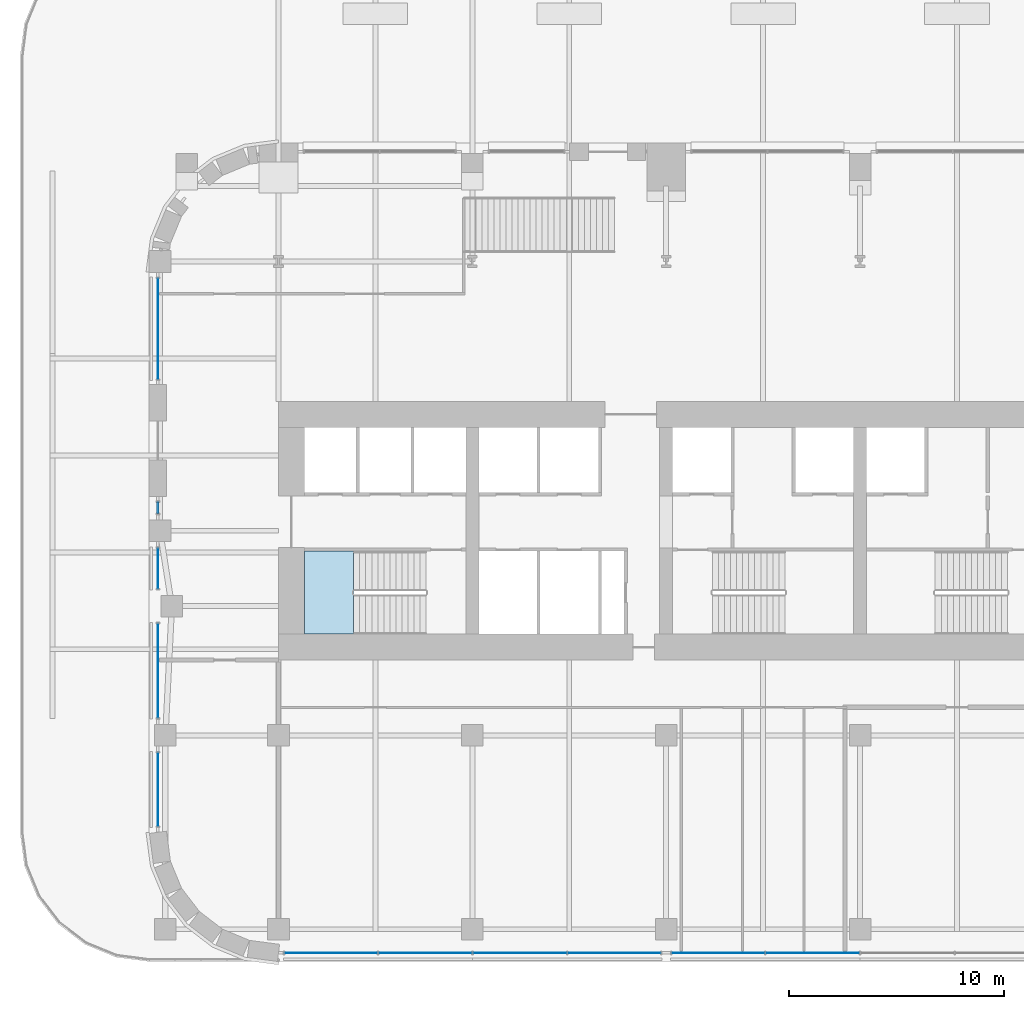
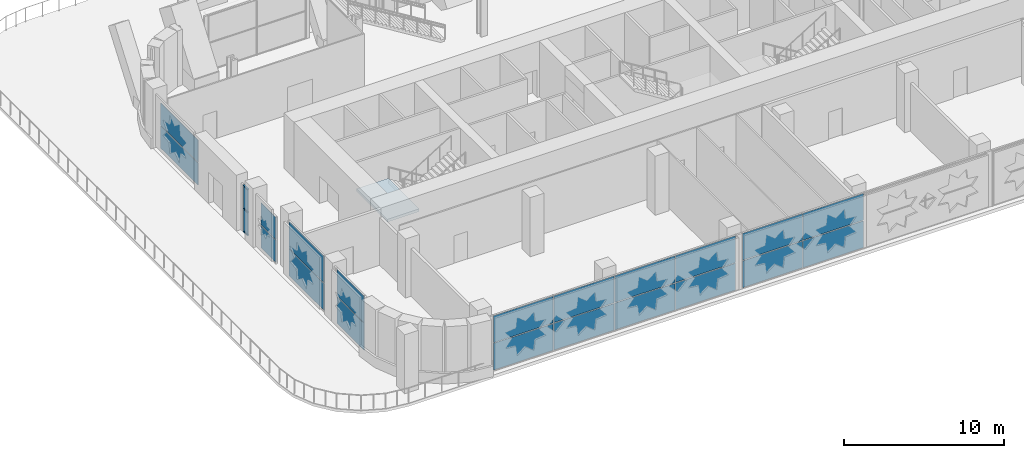
# One storey, part 12 of 26: 22 plates, 3 members, 1 slab, 8 elements without a shape of their own.
"""IFC4 building model written with IfcOpenShell, lengths in metres."""

from ifc_helpers import new_model, si_unit, direction, frame, origin, origin_2d, place, context, subcontext, project, spatial, polyline, rectangle, outline, extrude, material, layer, layer_set, material_profile, profile_set, type_object, element, aggregate, save


model = new_model("IFC4")

# Units and contexts
model_context = context("Model", 3, precision=1e-05, world=origin(), true_north=direction((0.0, 1.0)))
body_context = subcontext(model_context, "Body", "Model", "MODEL_VIEW")
ifc_project = project(units=[si_unit("LENGTHUNIT", "METRE"), si_unit("AREAUNIT", "SQUARE_METRE"), si_unit("VOLUMEUNIT", "CUBIC_METRE"), si_unit("PLANEANGLEUNIT", "RADIAN"), si_unit("MASSUNIT", "GRAM", prefix="KILO")], contexts=[model_context])

# Site, building, storey
site_placement = place(None, origin())
site = spatial("IfcSite", under=ifc_project, at=site_placement, CompositionType="ELEMENT")
building_placement = place(site_placement, origin())
building = spatial("IfcBuilding", under=site, at=building_placement, Name="Zellij Exchange Tower", CompositionType="ELEMENT")
storey_placement = place(building_placement, frame((0.0, 0.0, 39.0)))
storey = spatial("IfcBuildingStorey", under=building, at=storey_placement, Name="L06", CompositionType="ELEMENT", Elevation=39.0)

# Curtain wall, members
ifc_material_1 = material(Name="Aluminium frame, clear insulating glass", Category="aluminium")
curtain_wall_type = type_object("IfcCurtainWallType", Name="ENV-CW1 Sky-garden glazing", PredefinedType="NOTDEFINED", material=ifc_material_1)
curtain_wall_1_placement = place(storey_placement, origin())
curtain_wall_1 = element("IfcCurtainWall", 1, at=curtain_wall_1_placement, inside=storey, type_object=curtain_wall_type, Name="cw.L06.21c", PredefinedType="NOTDEFINED")
ifc_material_2 = material(Name="Aluminium", Category="aluminium")
ifc_material_profile = material_profile(ifc_material_2, rectangle(XDim=0.1201171875, YDim=0.06005859375, at=origin_2d()), Name="AL 120x60")
ifc_profile_set = profile_set([ifc_material_profile], Name="Aluminium")
member_type = type_object("IfcMemberType", Name="ENV-CW1T Transom 120x60", PredefinedType="USERDEFINED", material=ifc_profile_set)
member_1_placement = place(storey_placement, frame((-32.60009765625, -6.665283203125, 0.030029296875), z_axis=(0.0, -1.0, 0.0), x_axis=(1.0, 0.0, 0.0)))
member_1 = element("IfcMember", 2, at=member_1_placement, type_object=member_type, Name="CW1 transom 1.1", ObjectType="TRANSOM", PredefinedType="USERDEFINED", context=body_context, shape_type="SweptSolid", body=[
    extrude(rectangle(XDim=0.1201171875, YDim=0.06005859375, at=origin_2d()), origin(), (0.0, 0.0, 1.0), 0.524658203125),
])
member_2_placement = place(storey_placement, frame((-32.60009765625, -6.665283203125, 1.781005859375), z_axis=(0.0, -1.0, 0.0), x_axis=(1.0, 0.0, 0.0)))
member_2 = element("IfcMember", 3, at=member_2_placement, type_object=member_type, Name="CW1 transom 1.2", ObjectType="TRANSOM", PredefinedType="USERDEFINED", context=body_context, shape_type="SweptSolid", body=[
    extrude(rectangle(XDim=0.1201171875, YDim=0.06005859375, at=origin_2d()), origin(), (0.0, 0.0, 1.0), 0.524658203125),
])
member_3_placement = place(storey_placement, frame((-32.60009765625, -6.665283203125, 3.53173828125), z_axis=(0.0, -1.0, 0.0), x_axis=(1.0, 0.0, 0.0)))
member_3 = element("IfcMember", 4, at=member_3_placement, type_object=member_type, Name="CW1 transom 1.3", ObjectType="TRANSOM", PredefinedType="USERDEFINED", context=body_context, shape_type="SweptSolid", body=[
    extrude(rectangle(XDim=0.1201171875, YDim=0.06005859375, at=origin_2d()), origin(), (0.0, 0.0, 1.0), 0.524658203125),
])

# Stair, slab
ifc_material_3 = material(Name="Concrete C40/50", Category="concrete")
stair_type = type_object("IfcStairType", Name="CORE-ST exit stair 1850 wide", PredefinedType="HALF_TURN_STAIR", material=ifc_material_3)
stair_placement = place(storey_placement, origin())
stair = element("IfcStair", 5, at=stair_placement, inside=storey, type_object=stair_type, Name="L06 exit stair ST1", PredefinedType="HALF_TURN_STAIR")
ifc_layer_1 = layer(ifc_material_3, 0.199951171875)
ifc_layer_set_1 = layer_set([ifc_layer_1], Name="Concrete C40/50")
slab_type = type_object("IfcSlabType", Name="CORE-SL stair landing 200", PredefinedType="LANDING", material=ifc_layer_set_1)
slab_placement = place(storey_placement, frame((0.0, 0.0, 2.050048828125)))
slab = element("IfcSlab", 6, at=slab_placement, type_object=slab_type, Name="ST1 landing 1", PredefinedType="LANDING", context=body_context, shape_type="SweptSolid", body=[
    extrude(outline(polyline([(-23.510009765625, -8.949951171875), (-25.800048828125, -8.949951171875), (-25.800048828125, -12.800048828125), (-23.510009765625, -12.800048828125), (-23.510009765625, -8.949951171875)])), origin(), (0.0, 0.0, 1.0), 0.199951171875),
])
aggregate(stair, [slab])

# Curtain wall, plates
curtain_wall_2_placement = place(storey_placement, origin())
curtain_wall_2 = element("IfcCurtainWall", 7, at=curtain_wall_2_placement, inside=storey, type_object=curtain_wall_type, Name="cw.L06.00a", PredefinedType="NOTDEFINED")
ifc_material_4 = material(Name="Insulating glass unit, clear", Category="glass")
ifc_layer_2 = layer(ifc_material_4, 0.031982421875)
ifc_layer_set_2 = layer_set([ifc_layer_2], Name="Insulating glass unit, clear")
plate_type = type_object("IfcPlateType", Name="ENV-CW1P Glazed panel 32", PredefinedType="CURTAIN_PANEL", material=ifc_layer_set_2)
plate_1_placement = place(storey_placement, frame((-24.56201171875, -27.60009765625, 0.06005859375), z_axis=(0.0, 0.0, 1.0), x_axis=(1.0, 0.0, 0.0)))
plate_1 = element("IfcPlate", 8, at=plate_1_placement, type_object=plate_type, Name="CW1 panel 1.1", PredefinedType="CURTAIN_PANEL", context=body_context, shape_type="SweptSolid", body=[
    extrude(rectangle(XDim=4.303466796875, YDim=0.031982421875, at=origin_2d()), origin(), (0.0, 0.0, 1.0), 2.034912109375),
])
plate_2_placement = place(storey_placement, frame((-24.56201171875, -27.60009765625, 2.1552734375), z_axis=(0.0, 0.0, 1.0), x_axis=(1.0, 0.0, 0.0)))
plate_2 = element("IfcPlate", 9, at=plate_2_placement, type_object=plate_type, Name="CW1 panel 1.2", PredefinedType="CURTAIN_PANEL", context=body_context, shape_type="SweptSolid", body=[
    extrude(rectangle(XDim=4.303466796875, YDim=0.031982421875, at=origin_2d()), origin(), (0.0, 0.0, 1.0), 2.034912109375),
])
plate_3_placement = place(storey_placement, frame((-20.18359375, -27.60009765625, 0.06005859375), z_axis=(0.0, 0.0, 1.0), x_axis=(1.0, 0.0, 0.0)))
plate_3 = element("IfcPlate", 10, at=plate_3_placement, type_object=plate_type, Name="CW1 panel 2.1", PredefinedType="CURTAIN_PANEL", context=body_context, shape_type="SweptSolid", body=[
    extrude(rectangle(XDim=4.33349609375, YDim=0.031982421875, at=origin_2d()), origin(), (0.0, 0.0, 1.0), 2.034912109375),
])
plate_4_placement = place(storey_placement, frame((-20.18359375, -27.60009765625, 2.1552734375), z_axis=(0.0, 0.0, 1.0), x_axis=(1.0, 0.0, 0.0)))
plate_4 = element("IfcPlate", 11, at=plate_4_placement, type_object=plate_type, Name="CW1 panel 2.2", PredefinedType="CURTAIN_PANEL", context=body_context, shape_type="SweptSolid", body=[
    extrude(rectangle(XDim=4.33349609375, YDim=0.031982421875, at=origin_2d()), origin(), (0.0, 0.0, 1.0), 2.034912109375),
])
plate_5_placement = place(storey_placement, frame((-15.790283203125, -27.60009765625, 0.06005859375), z_axis=(0.0, 0.0, 1.0), x_axis=(1.0, 0.0, 0.0)))
plate_5 = element("IfcPlate", 12, at=plate_5_placement, type_object=plate_type, Name="CW1 panel 3.1", PredefinedType="CURTAIN_PANEL", context=body_context, shape_type="SweptSolid", body=[
    extrude(rectangle(XDim=4.33349609375, YDim=0.031982421875, at=origin_2d()), origin(), (0.0, 0.0, 1.0), 2.034912109375),
])
plate_6_placement = place(storey_placement, frame((-15.790283203125, -27.60009765625, 2.1552734375), z_axis=(0.0, 0.0, 1.0), x_axis=(1.0, 0.0, 0.0)))
plate_6 = element("IfcPlate", 13, at=plate_6_placement, type_object=plate_type, Name="CW1 panel 3.2", PredefinedType="CURTAIN_PANEL", context=body_context, shape_type="SweptSolid", body=[
    extrude(rectangle(XDim=4.33349609375, YDim=0.031982421875, at=origin_2d()), origin(), (0.0, 0.0, 1.0), 2.034912109375),
])
plate_7_placement = place(storey_placement, frame((-11.41162109375, -27.60009765625, 0.06005859375), z_axis=(0.0, 0.0, 1.0), x_axis=(1.0, 0.0, 0.0)))
plate_7 = element("IfcPlate", 14, at=plate_7_placement, type_object=plate_type, Name="CW1 panel 4.1", PredefinedType="CURTAIN_PANEL", context=body_context, shape_type="SweptSolid", body=[
    extrude(rectangle(XDim=4.303466796875, YDim=0.031982421875, at=origin_2d()), origin(), (0.0, 0.0, 1.0), 2.034912109375),
])
plate_8_placement = place(storey_placement, frame((-11.41162109375, -27.60009765625, 2.1552734375), z_axis=(0.0, 0.0, 1.0), x_axis=(1.0, 0.0, 0.0)))
plate_8 = element("IfcPlate", 15, at=plate_8_placement, type_object=plate_type, Name="CW1 panel 4.2", PredefinedType="CURTAIN_PANEL", context=body_context, shape_type="SweptSolid", body=[
    extrude(rectangle(XDim=4.303466796875, YDim=0.031982421875, at=origin_2d()), origin(), (0.0, 0.0, 1.0), 2.034912109375),
])
aggregate(curtain_wall_2, [plate_1, plate_2, plate_3, plate_4, plate_5, plate_6, plate_7, plate_8])

curtain_wall_3_placement = place(storey_placement, origin())
curtain_wall_3 = element("IfcCurtainWall", 16, at=curtain_wall_3_placement, inside=storey, type_object=curtain_wall_type, Name="cw.L06.00b", PredefinedType="NOTDEFINED")
plate_9_placement = place(storey_placement, frame((-6.5849609375, -27.60009765625, 0.06005859375), z_axis=(0.0, 0.0, 1.0), x_axis=(1.0, 0.0, 0.0)))
plate_9 = element("IfcPlate", 17, at=plate_9_placement, type_object=plate_type, Name="CW1 panel 1.1", PredefinedType="CURTAIN_PANEL", context=body_context, shape_type="SweptSolid", body=[
    extrude(rectangle(XDim=4.31005859375, YDim=0.031982421875, at=origin_2d()), origin(), (0.0, 0.0, 1.0), 2.034912109375),
])
plate_10_placement = place(storey_placement, frame((-6.5849609375, -27.60009765625, 2.1552734375), z_axis=(0.0, 0.0, 1.0), x_axis=(1.0, 0.0, 0.0)))
plate_10 = element("IfcPlate", 18, at=plate_10_placement, type_object=plate_type, Name="CW1 panel 1.2", PredefinedType="CURTAIN_PANEL", context=body_context, shape_type="SweptSolid", body=[
    extrude(rectangle(XDim=4.31005859375, YDim=0.031982421875, at=origin_2d()), origin(), (0.0, 0.0, 1.0), 2.034912109375),
])
plate_11_placement = place(storey_placement, frame((-2.199951171875, -27.60009765625, 0.06005859375), z_axis=(0.0, 0.0, 1.0), x_axis=(1.0, 0.0, 0.0)))
plate_11 = element("IfcPlate", 19, at=plate_11_placement, type_object=plate_type, Name="CW1 panel 2.1", PredefinedType="CURTAIN_PANEL", context=body_context, shape_type="SweptSolid", body=[
    extrude(rectangle(XDim=4.340087890625, YDim=0.031982421875, at=origin_2d()), origin(), (0.0, 0.0, 1.0), 2.034912109375),
])
plate_12_placement = place(storey_placement, frame((-2.199951171875, -27.60009765625, 2.1552734375), z_axis=(0.0, 0.0, 1.0), x_axis=(1.0, 0.0, 0.0)))
plate_12 = element("IfcPlate", 20, at=plate_12_placement, type_object=plate_type, Name="CW1 panel 2.2", PredefinedType="CURTAIN_PANEL", context=body_context, shape_type="SweptSolid", body=[
    extrude(rectangle(XDim=4.340087890625, YDim=0.031982421875, at=origin_2d()), origin(), (0.0, 0.0, 1.0), 2.034912109375),
])
aggregate(curtain_wall_3, [plate_9, plate_10, plate_11, plate_12])

curtain_wall_4_placement = place(storey_placement, origin())
curtain_wall_4 = element("IfcCurtainWall", 21, at=curtain_wall_4_placement, inside=storey, type_object=curtain_wall_type, Name="cw.L06.21a", PredefinedType="NOTDEFINED")
plate_13_placement = place(storey_placement, frame((-32.60009765625, 1.379150390625, 0.06005859375), z_axis=(0.0, 0.0, 1.0), x_axis=(0.0, -1.0, 0.0)))
plate_13 = element("IfcPlate", 22, at=plate_13_placement, type_object=plate_type, Name="CW1 panel 1.1", PredefinedType="CURTAIN_PANEL", context=body_context, shape_type="SweptSolid", body=[
    extrude(rectangle(XDim=4.66943359375, YDim=0.031982421875, at=origin_2d()), origin(), (0.0, 0.0, 1.0), 1.69091796875),
])
plate_14_placement = place(storey_placement, frame((-32.60009765625, 1.379150390625, 1.810791015625), z_axis=(0.0, 0.0, 1.0), x_axis=(0.0, -1.0, 0.0)))
plate_14 = element("IfcPlate", 23, at=plate_14_placement, type_object=plate_type, Name="CW1 panel 1.2", PredefinedType="CURTAIN_PANEL", context=body_context, shape_type="SweptSolid", body=[
    extrude(rectangle(XDim=4.66943359375, YDim=0.031982421875, at=origin_2d()), origin(), (0.0, 0.0, 1.0), 1.69091796875),
])
aggregate(curtain_wall_4, [plate_13, plate_14])

# Plate
plate_15_placement = place(storey_placement, frame((-32.60009765625, -6.927490234375, 0.06005859375), z_axis=(0.0, 0.0, 1.0), x_axis=(0.0, -1.0, 0.0)))
plate_15 = element("IfcPlate", 24, at=plate_15_placement, type_object=plate_type, Name="CW1 panel 1.1", PredefinedType="CURTAIN_PANEL", context=body_context, shape_type="SweptSolid", body=[
    extrude(rectangle(XDim=0.52490234375, YDim=0.031982421875, at=origin_2d()), origin(), (0.0, 0.0, 1.0), 1.69091796875),
])

plate_16_placement = place(storey_placement, frame((-32.60009765625, -6.927490234375, 1.810791015625), z_axis=(0.0, 0.0, 1.0), x_axis=(0.0, -1.0, 0.0)))
plate_16 = element("IfcPlate", 25, at=plate_16_placement, type_object=plate_type, Name="CW1 panel 1.2", PredefinedType="CURTAIN_PANEL", context=body_context, shape_type="SweptSolid", body=[
    extrude(rectangle(XDim=0.52490234375, YDim=0.031982421875, at=origin_2d()), origin(), (0.0, 0.0, 1.0), 1.69091796875),
])

aggregate(curtain_wall_1, [member_1, member_2, member_3, plate_15, plate_16])

# Curtain wall, plates
curtain_wall_5_placement = place(storey_placement, origin())
curtain_wall_5 = element("IfcCurtainWall", 26, at=curtain_wall_5_placement, inside=storey, type_object=curtain_wall_type, Name="cw.L06.21d", PredefinedType="NOTDEFINED")
plate_17_placement = place(storey_placement, frame((-32.60009765625, -9.75, 0.06005859375), z_axis=(0.0, 0.0, 1.0), x_axis=(0.0, -1.0, 0.0)))
plate_17 = element("IfcPlate", 27, at=plate_17_placement, type_object=plate_type, Name="CW1 panel 1.1", PredefinedType="CURTAIN_PANEL", context=body_context, shape_type="SweptSolid", body=[
    extrude(rectangle(XDim=1.8798828125, YDim=0.031982421875, at=origin_2d()), origin(), (0.0, 0.0, 1.0), 1.69091796875),
])
plate_18_placement = place(storey_placement, frame((-32.60009765625, -9.75, 1.810791015625), z_axis=(0.0, 0.0, 1.0), x_axis=(0.0, -1.0, 0.0)))
plate_18 = element("IfcPlate", 28, at=plate_18_placement, type_object=plate_type, Name="CW1 panel 1.2", PredefinedType="CURTAIN_PANEL", context=body_context, shape_type="SweptSolid", body=[
    extrude(rectangle(XDim=1.8798828125, YDim=0.031982421875, at=origin_2d()), origin(), (0.0, 0.0, 1.0), 1.69091796875),
])
aggregate(curtain_wall_5, [plate_17, plate_18])

curtain_wall_6_placement = place(storey_placement, origin())
curtain_wall_6 = element("IfcCurtainWall", 29, at=curtain_wall_6_placement, inside=storey, type_object=curtain_wall_type, Name="cw.L06.21e", PredefinedType="NOTDEFINED")
plate_19_placement = place(storey_placement, frame((-32.60009765625, -14.5, 0.06005859375), z_axis=(0.0, 0.0, 1.0), x_axis=(0.0, -1.0, 0.0)))
plate_19 = element("IfcPlate", 30, at=plate_19_placement, type_object=plate_type, Name="CW1 panel 1.1", PredefinedType="CURTAIN_PANEL", context=body_context, shape_type="SweptSolid", body=[
    extrude(rectangle(XDim=4.3798828125, YDim=0.031982421875, at=origin_2d()), origin(), (0.0, 0.0, 1.0), 2.034912109375),
])
plate_20_placement = place(storey_placement, frame((-32.60009765625, -14.5, 2.1552734375), z_axis=(0.0, 0.0, 1.0), x_axis=(0.0, -1.0, 0.0)))
plate_20 = element("IfcPlate", 31, at=plate_20_placement, type_object=plate_type, Name="CW1 panel 1.2", PredefinedType="CURTAIN_PANEL", context=body_context, shape_type="SweptSolid", body=[
    extrude(rectangle(XDim=4.3798828125, YDim=0.031982421875, at=origin_2d()), origin(), (0.0, 0.0, 1.0), 2.034912109375),
])
aggregate(curtain_wall_6, [plate_19, plate_20])

curtain_wall_7_placement = place(storey_placement, origin())
curtain_wall_7 = element("IfcCurtainWall", 32, at=curtain_wall_7_placement, inside=storey, type_object=curtain_wall_type, Name="cw.L06.21f", PredefinedType="NOTDEFINED")
plate_21_placement = place(storey_placement, frame((-32.60009765625, -20.011962890625, 0.06005859375), z_axis=(0.0, 0.0, 1.0), x_axis=(0.0, -1.0, 0.0)))
plate_21 = element("IfcPlate", 33, at=plate_21_placement, type_object=plate_type, Name="CW1 panel 1.1", PredefinedType="CURTAIN_PANEL", context=body_context, shape_type="SweptSolid", body=[
    extrude(rectangle(XDim=3.40380859375, YDim=0.031982421875, at=origin_2d()), origin(), (0.0, 0.0, 1.0), 2.034912109375),
])
plate_22_placement = place(storey_placement, frame((-32.60009765625, -20.011962890625, 2.1552734375), z_axis=(0.0, 0.0, 1.0), x_axis=(0.0, -1.0, 0.0)))
plate_22 = element("IfcPlate", 34, at=plate_22_placement, type_object=plate_type, Name="CW1 panel 1.2", PredefinedType="CURTAIN_PANEL", context=body_context, shape_type="SweptSolid", body=[
    extrude(rectangle(XDim=3.40380859375, YDim=0.031982421875, at=origin_2d()), origin(), (0.0, 0.0, 1.0), 2.034912109375),
])
aggregate(curtain_wall_7, [plate_21, plate_22])

save(model, "model.ifc")
